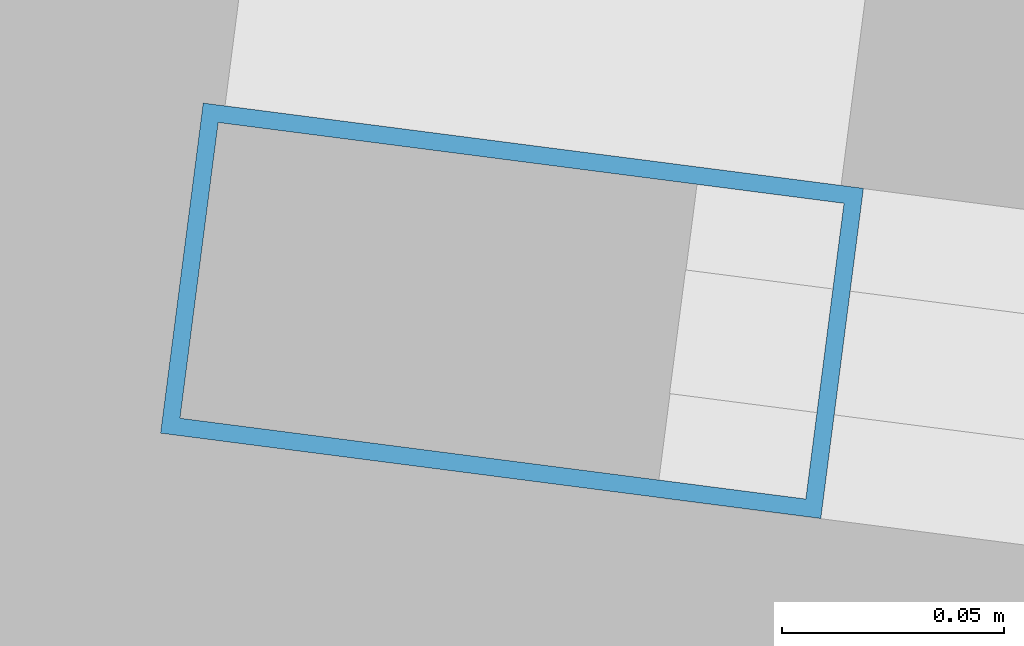
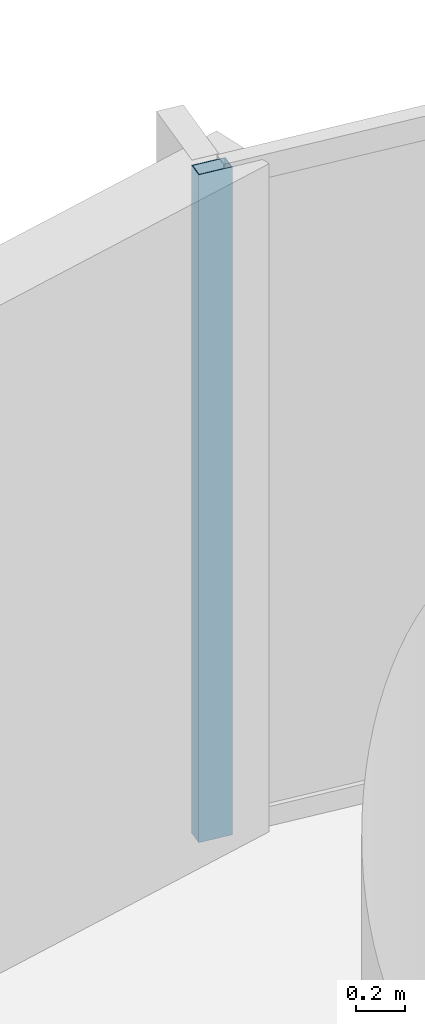
# One storey, part 20 of 31: 1 member, 1 element without a shape of its own.
"""IFC4 building model written with IfcOpenShell, lengths in metres."""

from ifc_helpers import new_model, si_unit, direction, frame, origin, origin_2d, place, context, subcontext, project, spatial, hollow_rectangle, extrude, material, layer, layer_set, material_profile, profile_set, type_object, element, aggregate, save


model = new_model("IFC4")

# Units and contexts
model_context = context("Model", 3, precision=1e-05, world=origin(), true_north=direction((0.0, 1.0)))
body_context = subcontext(model_context, "Body", "Model", "MODEL_VIEW")
ifc_project = project(units=[si_unit("LENGTHUNIT", "METRE"), si_unit("AREAUNIT", "SQUARE_METRE"), si_unit("VOLUMEUNIT", "CUBIC_METRE"), si_unit("PLANEANGLEUNIT", "RADIAN"), si_unit("MASSUNIT", "GRAM", prefix="KILO")], contexts=[model_context])

# Site, building, storey
site_placement = place(None, origin())
site = spatial("IfcSite", under=ifc_project, at=site_placement, CompositionType="ELEMENT")
building_placement = place(site_placement, origin())
building = spatial("IfcBuilding", under=site, at=building_placement, Name="Kazevale Care Tower and Concert Hall", CompositionType="ELEMENT")
storey_placement = place(building_placement, frame((0.0, 0.0, 60.0)))
storey = spatial("IfcBuildingStorey", under=building, at=storey_placement, Name="L15", CompositionType="ELEMENT", Elevation=60.0)

# Curtain wall, member
ifc_material_1 = material(Name="Aluminium 6063-T6 and Low-E Glass", Category="aluminium")
ifc_layer = layer(ifc_material_1, 0.179931640625)
ifc_layer_set = layer_set([ifc_layer], Name="Aluminium 6063-T6 and Low-E Glass")
curtain_wall_type = type_object("IfcCurtainWallType", Name="Convex Recessed Sunroom Curtain Wall CW-3", PredefinedType="NOTDEFINED", material=ifc_layer_set)
curtain_wall_placement = place(storey_placement, origin())
curtain_wall = element("IfcCurtainWall", 1, at=curtain_wall_placement, inside=storey, type_object=curtain_wall_type, Name="cw:L15:f16", PredefinedType="NOTDEFINED")
ifc_material_2 = material(Name="Aluminium 6063-T6", Category="aluminium")
ifc_material_profile = material_profile(ifc_material_2, hollow_rectangle(XDim=0.074951171875, YDim=0.14990234375, WallThickness=0.00390625, at=origin_2d()), Name="ALU75x150x4")
ifc_profile_set = profile_set([ifc_material_profile], Name="Aluminium 6063-T6")
member_type = type_object("IfcMemberType", Name="CW-3 Mullion ALU75x150x4", PredefinedType="MULLION", material=ifc_profile_set)
member_placement = place(storey_placement, frame((45.0771484375, 65.417236328125, 0.0), z_axis=(0.0, 0.0, 1.0), x_axis=(0.128086196538, 0.991763039368, 0.0)))
member = element("IfcMember", 2, at=member_placement, type_object=member_type, Name="CW-3 mullion 1", PredefinedType="MULLION", context=body_context, shape_type="SweptSolid", body=[
    extrude(hollow_rectangle(XDim=0.074951171875, YDim=0.14990234375, WallThickness=0.00390625, at=origin_2d()), origin(), (0.0, 0.0, 1.0), 3.360107421875),
])
aggregate(curtain_wall, [member])

save(model, "model.ifc")
